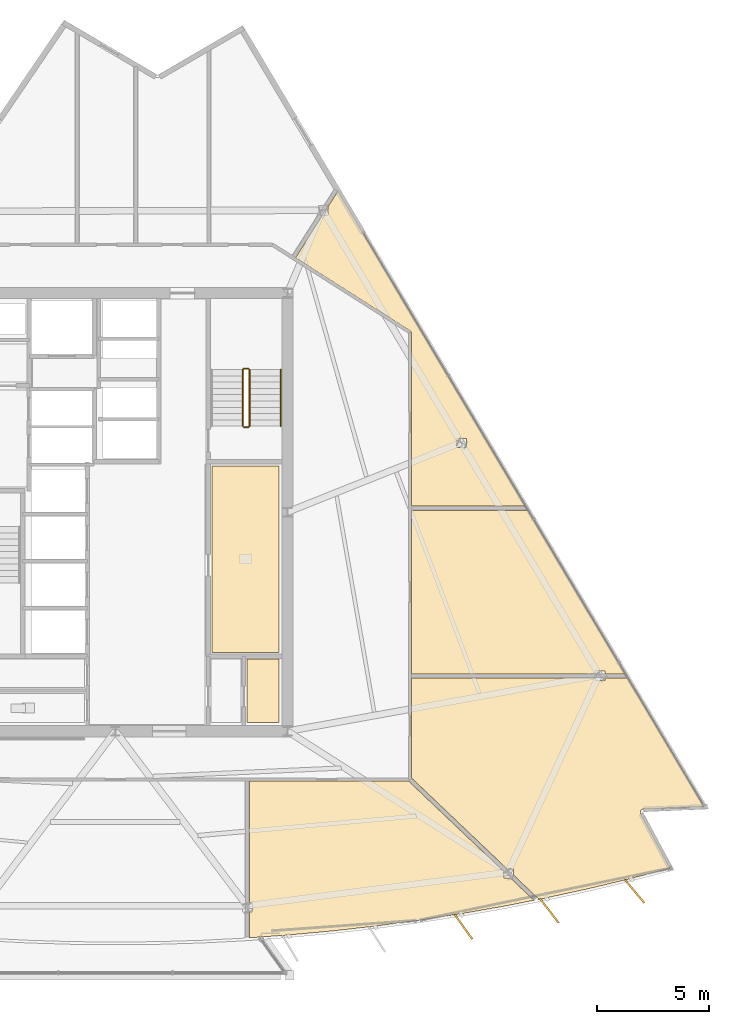
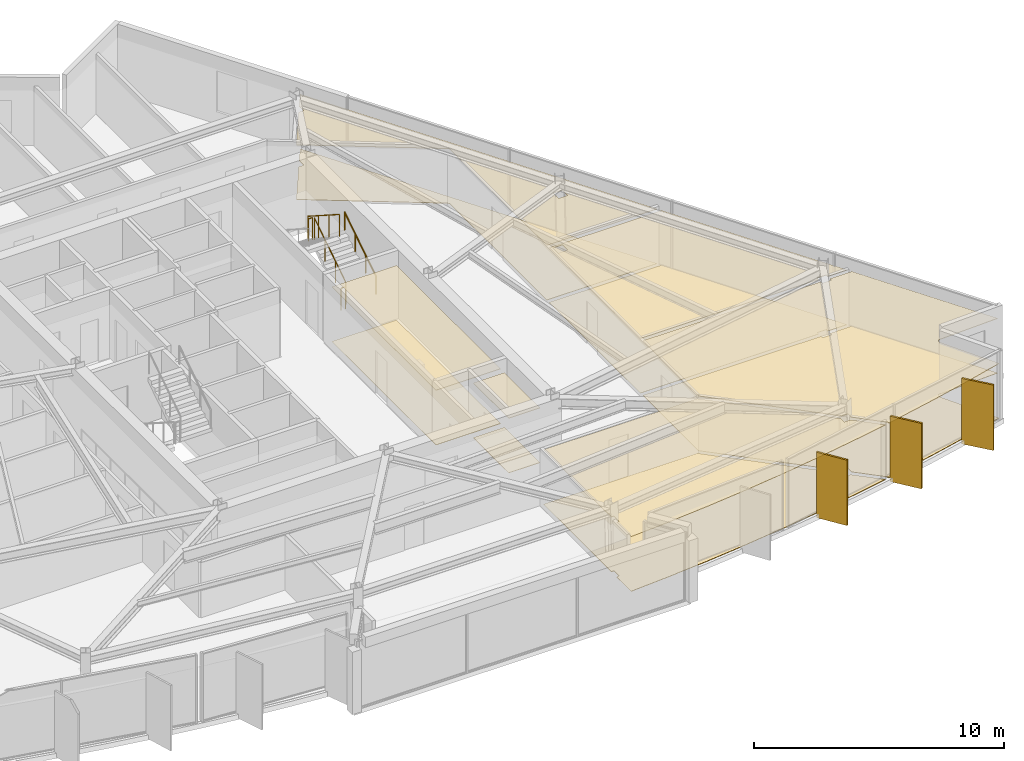
# One storey, part 13 of 15: 12 coverings, 5 railings, 3 shading devices.
"""IFC4 building model written with IfcOpenShell, lengths in metres."""

from ifc_helpers import new_model, si_unit, direction, frame, origin, origin_2d, place, context, subcontext, project, spatial, polyline, rectangle, circle, outline, extrude, material, layer, layer_set, type_object, element, save


model = new_model("IFC4")

# Units and contexts
model_context = context("Model", 3, precision=1e-05, world=origin(), true_north=direction((0.0, 1.0)))
body_context = subcontext(model_context, "Body", "Model", "MODEL_VIEW")
ifc_project = project(units=[si_unit("LENGTHUNIT", "METRE"), si_unit("AREAUNIT", "SQUARE_METRE"), si_unit("VOLUMEUNIT", "CUBIC_METRE"), si_unit("PLANEANGLEUNIT", "RADIAN"), si_unit("MASSUNIT", "GRAM", prefix="KILO")], contexts=[model_context])

# Site, building, storey
site_placement = place(None, origin())
site = spatial("IfcSite", under=ifc_project, at=site_placement, CompositionType="ELEMENT")
building_placement = place(site_placement, origin())
building = spatial("IfcBuilding", under=site, at=building_placement, Name="Savorim Split Tower", CompositionType="ELEMENT")
storey_placement = place(building_placement, frame((0.0, 0.0, 163.800048828125)))
storey = spatial("IfcBuildingStorey", under=building, at=storey_placement, Name="L43", CompositionType="ELEMENT", Elevation=163.800048828125)

# Coverings
ifc_material_1 = material(Name="Mineral Fibre Acoustic Ceiling")
ifc_layer_1 = layer(ifc_material_1, 0.02490234375)
ifc_layer_set_1 = layer_set([ifc_layer_1], Name="COV-CEIL-25")
covering_type_1 = type_object("IfcCoveringType", Name="COV-CEIL-25", PredefinedType="CEILING", material=ifc_layer_set_1)
covering_1_placement = place(storey_placement, frame((0.0, 0.0, 2.669921875)))
element("IfcCovering", 1, at=covering_1_placement, inside=storey, type_object=covering_type_1, Name="L43 Community Laundry Room Acoustic Ceiling", PredefinedType="CEILING", context=body_context, shape_type="SweptSolid", body=[
    extrude(outline(polyline([(4.330078125, 2.469970703125), (4.330078125, -5.8701171875), (7.320068359375, -5.8701171875), (7.320068359375, 2.469970703125), (4.330078125, 2.469970703125)])), origin(), (0.0, 0.0, 1.0), 0.025146484375),
])
covering_2_placement = place(storey_placement, frame((0.0, 0.0, 2.669921875)))
element("IfcCovering", 2, at=covering_2_placement, inside=storey, type_object=covering_type_1, Name="L43 Recycling Chute Room Acoustic Ceiling", PredefinedType="CEILING", context=body_context, shape_type="SweptSolid", body=[
    extrude(outline(polyline([(5.8798828125, -6.179931640625), (5.8798828125, -9.02001953125), (7.320068359375, -9.02001953125), (7.320068359375, -6.179931640625), (5.8798828125, -6.179931640625)])), origin(), (0.0, 0.0, 1.0), 0.025146484375),
])
covering_3_placement = place(storey_placement, frame((0.0, 0.0, 2.669921875)))
element("IfcCovering", 3, at=covering_3_placement, inside=storey, type_object=covering_type_1, Name="L43 Co-Working Commons Acoustic Ceiling", PredefinedType="CEILING", context=body_context, shape_type="SweptSolid", body=[
    extrude(outline(polyline([(11.6279296875, -18.1171875), (13.5537109375, -17.859619140625), (15.4736328125, -17.5625), (17.38720703125, -17.226318359375), (18.720703125, -16.9638671875), (17.681884765625, -15.9755859375), (17.38916015625, -15.9755859375), (17.38916015625, -15.697021484375), (13.13330078125, -11.647705078125), (13.10400390625, -11.619873046875), (13.10009765625, -11.6201171875), (5.993408203125, -11.6201171875), (5.993408203125, -17.05908203125), (6.10888671875, -17.05908203125), (6.10888671875, -17.47802734375), (5.993408203125, -17.47802734375), (5.993408203125, -18.59765625), (5.993408203125, -18.64111328125), (7.7626953125, -18.51416015625), (9.697509765625, -18.33544921875), (11.6279296875, -18.1171875)])), origin(), (0.0, 0.0, 1.0), 0.025146484375),
])
covering_4_placement = place(storey_placement, frame((0.0, 0.0, 2.669921875)))
element("IfcCovering", 4, at=covering_4_placement, inside=storey, type_object=covering_type_1, Name="L43 Co-Working Commons Acoustic Ceiling", PredefinedType="CEILING", context=body_context, shape_type="SweptSolid", body=[
    extrude(outline(polyline([(23.5703125, -12.8935546875), (23.58154296875, -12.891357421875), (23.593017578125, -12.890380859375), (26.335205078125, -12.773681640625), (22.89501953125, -6.98828125), (22.89501953125, -7.021240234375), (21.8994140625, -7.021240234375), (21.8994140625, -7.1357421875), (21.478515625, -7.1357421875), (21.478515625, -7.021240234375), (13.239990234375, -7.021240234375), (13.239990234375, -11.47998046875), (13.23974609375, -11.486572265625), (17.517333984375, -15.556640625), (17.81005859375, -15.556640625), (17.81005859375, -15.835205078125), (18.85595703125, -16.830322265625), (18.9248046875, -16.895751953125), (18.89208984375, -16.929931640625), (19.29345703125, -16.85107421875), (21.19140625, -16.436767578125), (23.080810546875, -15.98388671875), (24.814208984375, -15.530517578125), (23.492431640625, -13.06689453125), (23.4873046875, -13.056396484375), (23.4833984375, -13.045654296875), (23.480712890625, -13.034423828125), (23.478759765625, -13.023193359375), (23.47802734375, -13.01171875), (23.478515625, -13.0), (23.47998046875, -12.988525390625), (23.482666015625, -12.977294921875), (23.486328125, -12.96630859375), (23.4912109375, -12.955810546875), (23.496826171875, -12.94580078125), (23.50341796875, -12.936279296875), (23.510986328125, -12.927734375), (23.519287109375, -12.919677734375), (23.5283203125, -12.91259765625), (23.5380859375, -12.90625), (23.54833984375, -12.90087890625), (23.55908203125, -12.896728515625), (23.5703125, -12.8935546875)])), origin(), (0.0, 0.0, 1.0), 0.025146484375),
])
covering_5_placement = place(storey_placement, frame((0.0, 0.0, 2.669921875)))
element("IfcCovering", 5, at=covering_5_placement, inside=storey, type_object=covering_type_1, Name="L43 Quiet Study Room Acoustic Ceiling", PredefinedType="CEILING", context=body_context, shape_type="SweptSolid", body=[
    extrude(outline(polyline([(21.8994140625, -6.716796875), (21.8994140625, -6.831298828125), (22.7998046875, -6.831298828125), (22.801513671875, -6.831298828125), (18.452880859375, 0.482421875), (13.239990234375, 0.482421875), (13.239990234375, -6.831298828125), (21.478515625, -6.831298828125), (21.478515625, -6.716796875), (21.8994140625, -6.716796875)])), origin(), (0.0, 0.0, 1.0), 0.025146484375),
])
covering_6_placement = place(storey_placement, frame((0.0, 0.0, 2.669921875)))
element("IfcCovering", 6, at=covering_6_placement, inside=storey, type_object=covering_type_1, Name="L43 Quiet Study Room Acoustic Ceiling", PredefinedType="CEILING", context=body_context, shape_type="SweptSolid", body=[
    extrude(outline(polyline([(13.2373046875, 8.427978515625), (13.2392578125, 8.4140625), (13.239990234375, 8.39990234375), (13.239990234375, 0.67236328125), (18.33984375, 0.67236328125), (9.959716796875, 14.765625), (9.511474609375, 14.06103515625), (9.511474609375, 13.697509765625), (9.2802734375, 13.697509765625), (8.056640625, 11.773681640625), (13.175048828125, 8.51806640625), (13.1865234375, 8.510009765625), (13.197265625, 8.500732421875), (13.206787109375, 8.490478515625), (13.21533203125, 8.479248046875), (13.22265625, 8.46728515625), (13.22900390625, 8.45458984375), (13.233642578125, 8.44140625), (13.2373046875, 8.427978515625)]), holes=[polyline([(15.70556640625, 3.281005859375), (15.70556640625, 3.699951171875), (15.284423828125, 3.699951171875), (15.284423828125, 3.281005859375), (15.70556640625, 3.281005859375)])]), origin(), (0.0, 0.0, 1.0), 0.025146484375),
])
ifc_material_2 = material(Name="Porcelain Stoneware Flooring", Category="masonry")
ifc_layer_2 = layer(ifc_material_2, 0.02001953125)
ifc_layer_set_2 = layer_set([ifc_layer_2], Name="COV-FLOR-20")
covering_type_2 = type_object("IfcCoveringType", Name="COV-FLOR-20", PredefinedType="FLOORING", material=ifc_layer_set_2)
covering_7_placement = place(storey_placement, origin())
element("IfcCovering", 7, at=covering_7_placement, inside=storey, type_object=covering_type_2, Name="L43 Community Laundry Room Porcelain Flooring", PredefinedType="FLOORING", context=body_context, shape_type="SweptSolid", body=[
    extrude(outline(polyline([(4.330078125, 2.469970703125), (4.330078125, -5.8701171875), (7.320068359375, -5.8701171875), (7.320068359375, 2.469970703125), (4.330078125, 2.469970703125)])), origin(), (0.0, 0.0, 1.0), 0.02001953125),
])
covering_8_placement = place(storey_placement, origin())
element("IfcCovering", 8, at=covering_8_placement, inside=storey, type_object=covering_type_2, Name="L43 Recycling Chute Room Porcelain Flooring", PredefinedType="FLOORING", context=body_context, shape_type="SweptSolid", body=[
    extrude(outline(polyline([(5.8798828125, -6.179931640625), (5.8798828125, -9.02001953125), (7.320068359375, -9.02001953125), (7.320068359375, -6.179931640625), (5.8798828125, -6.179931640625)])), origin(), (0.0, 0.0, 1.0), 0.02001953125),
])
covering_9_placement = place(storey_placement, origin())
element("IfcCovering", 9, at=covering_9_placement, inside=storey, type_object=covering_type_2, Name="L43 Co-Working Commons Porcelain Flooring", PredefinedType="FLOORING", context=body_context, shape_type="SweptSolid", body=[
    extrude(outline(polyline([(11.6279296875, -18.1171875), (13.5537109375, -17.859619140625), (15.4736328125, -17.5625), (17.38720703125, -17.226318359375), (18.720703125, -16.9638671875), (17.681884765625, -15.9755859375), (17.38916015625, -15.9755859375), (17.38916015625, -15.697021484375), (13.13330078125, -11.647705078125), (13.10400390625, -11.619873046875), (13.10009765625, -11.6201171875), (5.993408203125, -11.6201171875), (5.993408203125, -17.05908203125), (6.10888671875, -17.05908203125), (6.10888671875, -17.47802734375), (5.993408203125, -17.47802734375), (5.993408203125, -18.59765625), (5.993408203125, -18.64111328125), (7.7626953125, -18.51416015625), (9.697509765625, -18.33544921875), (11.6279296875, -18.1171875)])), origin(), (0.0, 0.0, 1.0), 0.02001953125),
])
covering_10_placement = place(storey_placement, origin())
element("IfcCovering", 10, at=covering_10_placement, inside=storey, type_object=covering_type_2, Name="L43 Co-Working Commons Porcelain Flooring", PredefinedType="FLOORING", context=body_context, shape_type="SweptSolid", body=[
    extrude(outline(polyline([(23.5703125, -12.8935546875), (23.58154296875, -12.891357421875), (23.593017578125, -12.890380859375), (26.335205078125, -12.773681640625), (22.89501953125, -6.98828125), (22.89501953125, -7.021240234375), (21.8994140625, -7.021240234375), (21.8994140625, -7.1357421875), (21.478515625, -7.1357421875), (21.478515625, -7.021240234375), (13.239990234375, -7.021240234375), (13.239990234375, -11.47998046875), (13.23974609375, -11.486572265625), (17.517333984375, -15.556640625), (17.81005859375, -15.556640625), (17.81005859375, -15.835205078125), (18.85595703125, -16.830322265625), (18.9248046875, -16.895751953125), (18.89208984375, -16.929931640625), (19.29345703125, -16.85107421875), (21.19140625, -16.436767578125), (23.080810546875, -15.98388671875), (24.814208984375, -15.530517578125), (23.492431640625, -13.06689453125), (23.4873046875, -13.056396484375), (23.4833984375, -13.045654296875), (23.480712890625, -13.034423828125), (23.478759765625, -13.023193359375), (23.47802734375, -13.01171875), (23.478515625, -13.0), (23.47998046875, -12.988525390625), (23.482666015625, -12.977294921875), (23.486328125, -12.96630859375), (23.4912109375, -12.955810546875), (23.496826171875, -12.94580078125), (23.50341796875, -12.936279296875), (23.510986328125, -12.927734375), (23.519287109375, -12.919677734375), (23.5283203125, -12.91259765625), (23.5380859375, -12.90625), (23.54833984375, -12.90087890625), (23.55908203125, -12.896728515625), (23.5703125, -12.8935546875)])), origin(), (0.0, 0.0, 1.0), 0.02001953125),
])
covering_11_placement = place(storey_placement, origin())
element("IfcCovering", 11, at=covering_11_placement, inside=storey, type_object=covering_type_2, Name="L43 Quiet Study Room Porcelain Flooring", PredefinedType="FLOORING", context=body_context, shape_type="SweptSolid", body=[
    extrude(outline(polyline([(21.8994140625, -6.716796875), (21.8994140625, -6.831298828125), (22.7998046875, -6.831298828125), (22.801513671875, -6.831298828125), (18.452880859375, 0.482421875), (13.239990234375, 0.482421875), (13.239990234375, -6.831298828125), (21.478515625, -6.831298828125), (21.478515625, -6.716796875), (21.8994140625, -6.716796875)])), origin(), (0.0, 0.0, 1.0), 0.02001953125),
])
covering_12_placement = place(storey_placement, origin())
element("IfcCovering", 12, at=covering_12_placement, inside=storey, type_object=covering_type_2, Name="L43 Quiet Study Room Porcelain Flooring", PredefinedType="FLOORING", context=body_context, shape_type="SweptSolid", body=[
    extrude(outline(polyline([(13.2373046875, 8.427978515625), (13.2392578125, 8.4140625), (13.239990234375, 8.39990234375), (13.239990234375, 0.67236328125), (18.33984375, 0.67236328125), (9.959716796875, 14.765625), (9.511474609375, 14.06103515625), (9.511474609375, 13.697509765625), (9.2802734375, 13.697509765625), (8.056640625, 11.773681640625), (13.175048828125, 8.51806640625), (13.1865234375, 8.510009765625), (13.197265625, 8.500732421875), (13.206787109375, 8.490478515625), (13.21533203125, 8.479248046875), (13.22265625, 8.46728515625), (13.22900390625, 8.45458984375), (13.233642578125, 8.44140625), (13.2373046875, 8.427978515625)]), holes=[polyline([(15.70556640625, 3.281005859375), (15.70556640625, 3.699951171875), (15.284423828125, 3.699951171875), (15.284423828125, 3.281005859375), (15.70556640625, 3.281005859375)])]), origin(), (0.0, 0.0, 1.0), 0.02001953125),
])

# Railings
ifc_material_3 = material(Name="Galvanised Painted Steel Balustrade", Category="steel")
railing_type_1 = type_object("IfcRailingType", Name="RLG-HR-900", PredefinedType="HANDRAIL", material=ifc_material_3)
railing_1_placement = place(storey_placement, frame((7.39990234375, 4.25, 0.179931640625)))
element("IfcRailing", 13, at=railing_1_placement, inside=storey, type_object=railing_type_1, Name="L43 ST-2 stair handrail 1", PredefinedType="HANDRAIL", context=body_context, shape_type="SweptSolid", body=[
    extrude(circle(Radius=0.02392578125, at=origin_2d()), frame((0.0, 0.0, 0.8759765625), z_axis=(0.0, 0.841162588446, 0.540782303519), x_axis=(-1.0, 0.0, 0.0)), (0.0, 0.0, 1.0), 2.995849609375),
    extrude(circle(Radius=0.02099609375, at=origin_2d()), origin(), (0.0, 0.0, 1.0), 0.851806640625),
    extrude(circle(Radius=0.02099609375, at=origin_2d()), frame((0.0, 0.840087890625, 0.5400390625)), (0.0, 0.0, 1.0), 0.851806640625),
    extrude(circle(Radius=0.02099609375, at=origin_2d()), frame((0.0, 1.679931640625, 1.080078125)), (0.0, 0.0, 1.0), 0.851806640625),
    extrude(circle(Radius=0.02099609375, at=origin_2d()), frame((0.0, 2.52001953125, 1.6201171875)), (0.0, 0.0, 1.0), 0.851806640625),
])
railing_type_2 = type_object("IfcRailingType", Name="RLG-STG-1100", PredefinedType="BALUSTRADE", material=ifc_material_3)
railing_2_placement = place(storey_placement, frame((6.0, 4.25, 0.179931640625)))
element("IfcRailing", 14, at=railing_2_placement, inside=storey, type_object=railing_type_2, Name="L43 ST-2 stair guard 1", PredefinedType="BALUSTRADE", context=body_context, shape_type="SweptSolid", body=[
    extrude(circle(Radius=0.02392578125, at=origin_2d()), frame((0.0, 0.0, 1.076171875), z_axis=(0.0, 0.841162588446, 0.540782303519), x_axis=(-1.0, 0.0, 0.0)), (0.0, 0.0, 1.0), 2.995849609375),
    extrude(circle(Radius=0.02099609375, at=origin_2d()), origin(), (0.0, 0.0, 1.0), 1.052001953125),
    extrude(circle(Radius=0.02099609375, at=origin_2d()), frame((0.0, 0.840087890625, 0.5400390625)), (0.0, 0.0, 1.0), 1.052001953125),
    extrude(circle(Radius=0.02099609375, at=origin_2d()), frame((0.0, 1.679931640625, 1.080078125)), (0.0, 0.0, 1.0), 1.052001953125),
    extrude(circle(Radius=0.02099609375, at=origin_2d()), frame((0.0, 2.52001953125, 1.6201171875)), (0.0, 0.0, 1.0), 1.052001953125),
])
railing_3_placement = place(storey_placement, frame((5.949951171875, 6.820068359375, 1.800048828125)))
element("IfcRailing", 15, at=railing_3_placement, inside=storey, type_object=railing_type_2, Name="L43 ST-2 stair guard 2", PredefinedType="BALUSTRADE", context=body_context, shape_type="SweptSolid", body=[
    extrude(circle(Radius=0.02392578125, at=origin_2d()), frame((0.0, 0.0, 1.076171875), z_axis=(-1.0, 0.0, 0.0), x_axis=(0.0, -1.0, 0.0)), (0.0, 0.0, 1.0), 0.199951171875),
    extrude(circle(Radius=0.02099609375, at=origin_2d()), origin(), (0.0, 0.0, 1.0), 1.052001953125),
    extrude(circle(Radius=0.02099609375, at=origin_2d()), frame((-0.199951171875, 0.0, 0.0)), (0.0, 0.0, 1.0), 1.052001953125),
])
railing_4_placement = place(storey_placement, frame((5.699951171875, 6.77001953125, 1.97998046875)))
element("IfcRailing", 16, at=railing_4_placement, inside=storey, type_object=railing_type_2, Name="L43 ST-2 stair guard 3", PredefinedType="BALUSTRADE", context=body_context, shape_type="SweptSolid", body=[
    extrude(circle(Radius=0.02392578125, at=origin_2d()), frame((0.0, 0.0, 1.076171875), z_axis=(0.0, -0.841199657755, 0.540724639528), x_axis=(1.0, 0.0, 0.0)), (0.0, 0.0, 1.0), 2.995849609375),
    extrude(circle(Radius=0.02099609375, at=origin_2d()), origin(), (0.0, 0.0, 1.0), 1.052001953125),
    extrude(circle(Radius=0.02099609375, at=origin_2d()), frame((0.0, -0.840087890625, 0.5400390625)), (0.0, 0.0, 1.0), 1.052001953125),
    extrude(circle(Radius=0.02099609375, at=origin_2d()), frame((0.0, -1.679931640625, 1.079833984375)), (0.0, 0.0, 1.0), 1.052001953125),
    extrude(circle(Radius=0.02099609375, at=origin_2d()), frame((0.0, -2.52001953125, 1.619873046875)), (0.0, 0.0, 1.0), 1.052001953125),
])
railing_5_placement = place(storey_placement, frame((5.949951171875, 4.199951171875, 0.0)))
element("IfcRailing", 17, at=railing_5_placement, inside=storey, type_object=railing_type_2, Name="L43 ST-2 stair guard 4", PredefinedType="BALUSTRADE", context=body_context, shape_type="SweptSolid", body=[
    extrude(circle(Radius=0.02392578125, at=origin_2d()), frame((0.0, 0.0, 1.076171875), z_axis=(-1.0, 0.0, 0.0), x_axis=(0.0, -1.0, 0.0)), (0.0, 0.0, 1.0), 0.199951171875),
    extrude(circle(Radius=0.02099609375, at=origin_2d()), origin(), (0.0, 0.0, 1.0), 1.052001953125),
    extrude(circle(Radius=0.02099609375, at=origin_2d()), frame((-0.199951171875, 0.0, 0.0)), (0.0, 0.0, 1.0), 1.052001953125),
])

# Shading devices
ifc_material_4 = material(Name="Terracotta Ceramic-Coated Aluminium Fin", Category="masonry")
shading_device_type = type_object("IfcShadingDeviceType", Name="SHD-FIN-1360", PredefinedType="USERDEFINED", material=ifc_material_4)
for number, where, z_axis, x_axis, name in (
    (18, (15.57080078125, -18.150634765625, -0.2001953125), (0.0, 0.0, 1.0), (0.578993757737, -0.815331974414, 0.0), "L43 Sawtooth Shading Fin 11"),
    (19, (19.41455078125, -17.4345703125, -0.2001953125), (0.0, 0.0, 1.0), (0.611868076908, -0.790959832394, 0.0), "L43 Sawtooth Shading Fin 12"),
    (20, (23.2255859375, -16.56201171875, -0.2001953125), (0.0, 0.0, 1.0), (0.643719022682, -0.765261928909, 0.0), "L43 Sawtooth Shading Fin 13"),
):
    element("IfcShadingDevice", number, at=place(storey_placement, frame(where, z_axis=z_axis, x_axis=x_axis)), inside=storey, type_object=shading_device_type, Name=name, ObjectType="FIN", PredefinedType="USERDEFINED", context=body_context, shape_type="SweptSolid", body=[
        extrude(rectangle(XDim=1.360107421875, YDim=0.080078125, at=origin_2d()), origin(), (0.0, 0.0, 1.0), 3.199951171875),
    ])

save(model, "model.ifc")
